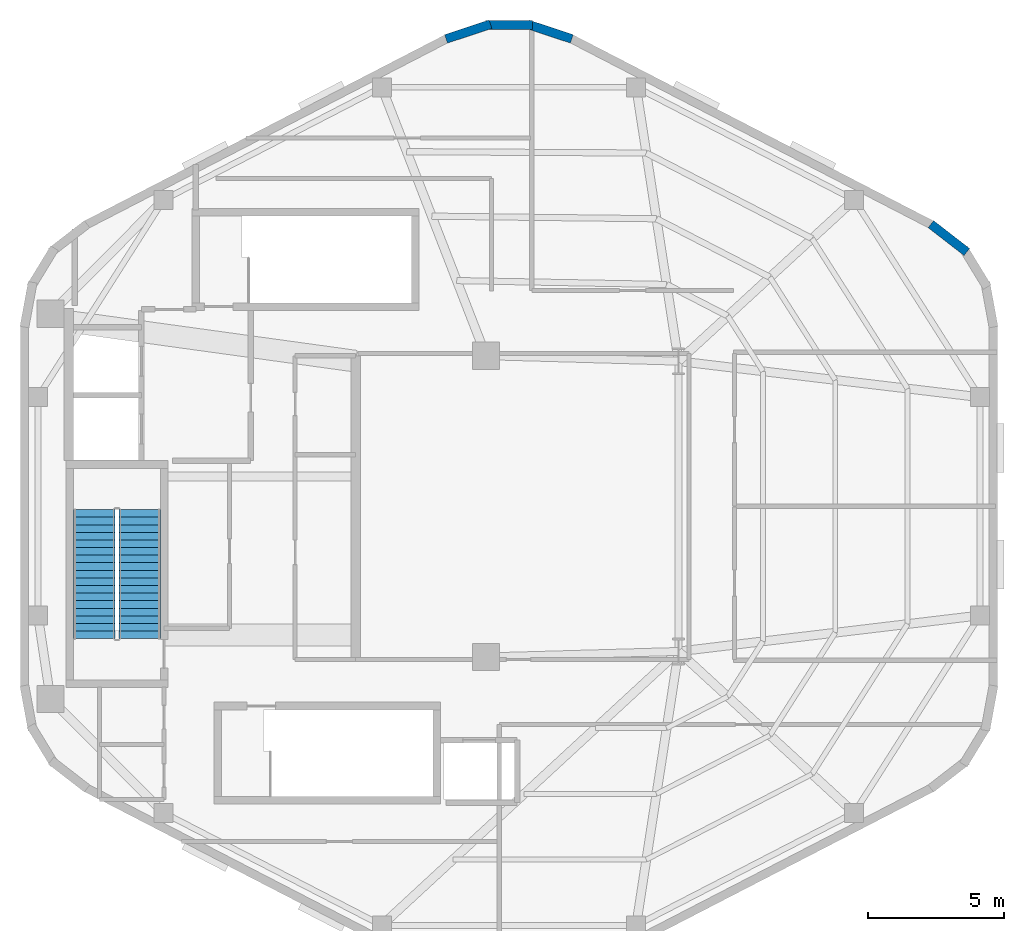
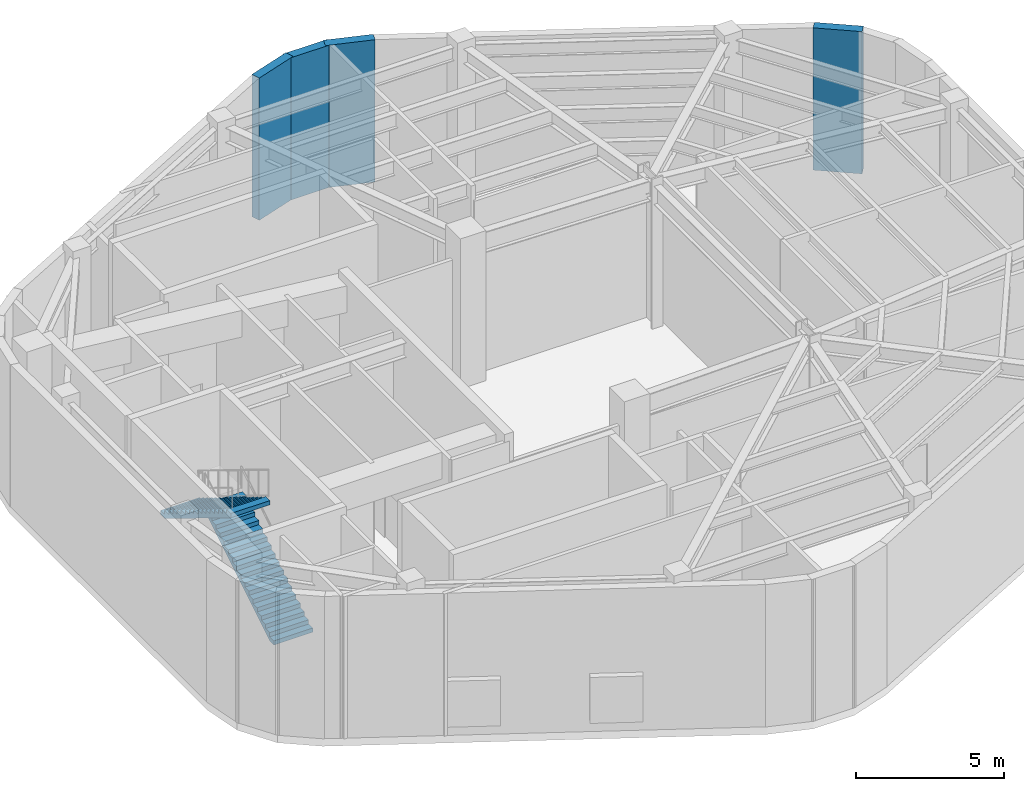
# One storey, part 4 of 5: 4 walls, 2 stair flights, 1 element without a shape of its own.
"""IFC4 building model written with IfcOpenShell, lengths in metres."""

from ifc_helpers import new_model, si_unit, direction, frame, frame_2d, origin, place, context, subcontext, project, spatial, polyline, rectangle, outline, extrude, material, layer, layer_set, type_object, element, aggregate, save


model = new_model("IFC4")

# Units and contexts
model_context = context("Model", 3, precision=1e-05, world=origin(), true_north=direction((0.0, 1.0)))
body_context = subcontext(model_context, "Body", "Model", "MODEL_VIEW")
ifc_project = project(units=[si_unit("LENGTHUNIT", "METRE"), si_unit("AREAUNIT", "SQUARE_METRE"), si_unit("VOLUMEUNIT", "CUBIC_METRE"), si_unit("PLANEANGLEUNIT", "RADIAN"), si_unit("MASSUNIT", "GRAM", prefix="KILO"), si_unit("THERMODYNAMICTEMPERATUREUNIT", "KELVIN"), si_unit("POWERUNIT", "WATT")], contexts=[model_context])

# Site, building, storey
site_placement = place(None, origin())
site = spatial("IfcSite", under=ifc_project, at=site_placement, CompositionType="ELEMENT")
building_placement = place(site_placement, origin())
building = spatial("IfcBuilding", under=site, at=building_placement, Name="Skarre Station Tower", CompositionType="ELEMENT")
storey_placement = place(building_placement, frame((0.0, 0.0, 285.10009765625)))
storey = spatial("IfcBuildingStorey", under=building, at=storey_placement, Name="L77", CompositionType="ELEMENT", Elevation=285.10009765625)

# Walls
ifc_material_1 = material(Name="Precast concrete C45/55", Category="concrete")
ifc_layer = layer(ifc_material_1, 0.330078125, Name="Precast concrete C45/55")
ifc_layer_set = layer_set([ifc_layer], Name="Precast concrete C45/55")
wall_type = type_object("IfcWallType", Name="Nordic Rounded Corner Precast Wall 330", PredefinedType="STANDARD", material=ifc_layer_set)
wall_1_placement = place(storey_placement, frame((48.7529296875, 34.40087890625, 0.0), z_axis=(0.0, 0.0, 1.0), x_axis=(0.790691856293, -0.61221433207, 0.0)))
element("IfcWall", 1, at=wall_1_placement, inside=storey, type_object=wall_type, Name="L77 Rounded Corner Precast Wall F0-1", PredefinedType="STANDARD", context=body_context, shape_type="SweptSolid", body=[
    extrude(rectangle(XDim=1.67578125, YDim=0.330078125, at=frame_2d((0.837890625, 0.0))), origin(), (0.0, 0.0, 1.0), 5.8798828125),
])
wall_2_placement = place(storey_placement, frame((30.882080078125, 41.23095703125, 0.0), z_axis=(0.0, 0.0, 1.0), x_axis=(0.949713440491, 0.313120393699, 0.0)))
element("IfcWall", 2, at=wall_2_placement, inside=storey, type_object=wall_type, Name="L77 Rounded Corner Precast Wall F1-1", PredefinedType="STANDARD", context=body_context, shape_type="SweptSolid", body=[
    extrude(rectangle(XDim=1.7216796875, YDim=0.330078125, at=frame_2d((0.86083984375, 0.0))), origin(), (0.0, 0.0, 1.0), 5.8798828125),
])
wall_3_placement = place(storey_placement, frame((32.339111328125, 41.740966796875, 0.0), z_axis=(0.0, 0.0, 1.0), x_axis=(1.0, 0.0, 0.0)))
element("IfcWall", 3, at=wall_3_placement, inside=storey, type_object=wall_type, Name="L77 Rounded Corner Precast Wall F1-2", PredefinedType="STANDARD", context=body_context, shape_type="SweptSolid", body=[
    extrude(rectangle(XDim=1.721923828125, YDim=0.330078125, at=frame_2d((0.86083984375, 0.0))), origin(), (0.0, 0.0, 1.0), 5.8798828125),
])
wall_4_placement = place(storey_placement, frame((33.883056640625, 41.77001953125, 0.0), z_axis=(0.0, 0.0, 1.0), x_axis=(0.949713440491, -0.313120393699, 0.0)))
element("IfcWall", 4, at=wall_4_placement, inside=storey, type_object=wall_type, Name="L77 Rounded Corner Precast Wall F1-3", PredefinedType="STANDARD", context=body_context, shape_type="SweptSolid", body=[
    extrude(rectangle(XDim=1.7216796875, YDim=0.330078125, at=frame_2d((0.86083984375, 0.0))), origin(), (0.0, 0.0, 1.0), 5.8798828125),
])

# Stair, stair flights
ifc_material_2 = material(Name="Concrete C40/50", Category="concrete")
stair_type = type_object("IfcStairType", Name="Reinforced Concrete Exit Stair ST-1", PredefinedType="HALF_TURN_STAIR", material=ifc_material_2)
stair_placement = place(storey_placement, origin())
stair = element("IfcStair", 5, at=stair_placement, inside=storey, type_object=stair_type, Name="L77 Core Exit Stair ST-1", PredefinedType="HALF_TURN_STAIR")
stair_flight_type = type_object("IfcStairFlightType", Name="Reinforced Concrete Stair Flight ST-1", PredefinedType="STRAIGHT", material=ifc_material_2)
stair_flight_1_placement = place(storey_placement, frame((19.590087890625, 19.1201171875, 0.0), z_axis=(0.0, 0.0, 1.0), x_axis=(0.0, 1.0, 0.0)))
stair_flight_1 = element("IfcStairFlight", 6, at=stair_flight_1_placement, type_object=stair_flight_type, Name="ST-1 flight 1", NumberOfRisers=18, NumberOfTreads=17, PredefinedType="STRAIGHT", RiserHeight=0.172222222, TreadLength=0.28, context=body_context, shape_type="SweptSolid", body=[
    extrude(outline(polyline([(0.0, 0.0), (0.0, 0.172119140625), (0.280029296875, 0.172119140625), (0.280029296875, 0.344482421875), (0.56005859375, 0.344482421875), (0.56005859375, 0.5166015625), (0.840087890625, 0.5166015625), (0.840087890625, 0.68896484375), (1.1201171875, 0.68896484375), (1.1201171875, 0.861083984375), (1.39990234375, 0.861083984375), (1.39990234375, 1.033447265625), (1.679931640625, 1.033447265625), (1.679931640625, 1.20556640625), (1.9599609375, 1.20556640625), (1.9599609375, 1.377685546875), (2.239990234375, 1.377685546875), (2.239990234375, 1.550048828125), (2.52001953125, 1.550048828125), (2.52001953125, 1.72216796875), (2.800048828125, 1.72216796875), (2.800048828125, 1.89453125), (3.080078125, 1.89453125), (3.080078125, 2.066650390625), (3.360107421875, 2.066650390625), (3.360107421875, 2.23876953125), (3.639892578125, 2.23876953125), (3.639892578125, 2.4111328125), (3.919921875, 2.4111328125), (3.919921875, 2.583251953125), (4.199951171875, 2.583251953125), (4.199951171875, 2.755615234375), (4.47998046875, 2.755615234375), (4.47998046875, 2.927734375), (4.760009765625, 2.927734375), (4.760009765625, 3.10009765625), (4.760009765625, 2.751708984375), (0.2861328125, 0.0), (0.0, 0.0)])), frame((0.0, 0.760009765625, 0.0), z_axis=(0.0, -1.0, 0.0), x_axis=(1.0, 0.0, 0.0)), (0.0, 0.0, 1.0), 1.52001953125),
])
stair_flight_2_placement = place(storey_placement, frame((17.909912109375, 23.8798828125, 3.099853515625), z_axis=(0.0, 0.0, 1.0), x_axis=(0.0, -1.0, 0.0)))
stair_flight_2 = element("IfcStairFlight", 7, at=stair_flight_2_placement, type_object=stair_flight_type, Name="ST-1 flight 2", NumberOfRisers=18, NumberOfTreads=17, PredefinedType="STRAIGHT", RiserHeight=0.172222222, TreadLength=0.28, context=body_context, shape_type="SweptSolid", body=[
    extrude(outline(polyline([(0.0, 0.0), (0.0, 0.172119140625), (0.280029296875, 0.172119140625), (0.280029296875, 0.344482421875), (0.56005859375, 0.344482421875), (0.56005859375, 0.5166015625), (0.840087890625, 0.5166015625), (0.840087890625, 0.68896484375), (1.1201171875, 0.68896484375), (1.1201171875, 0.861083984375), (1.39990234375, 0.861083984375), (1.39990234375, 1.033447265625), (1.679931640625, 1.033447265625), (1.679931640625, 1.20556640625), (1.9599609375, 1.20556640625), (1.9599609375, 1.377685546875), (2.239990234375, 1.377685546875), (2.239990234375, 1.550048828125), (2.52001953125, 1.550048828125), (2.52001953125, 1.72216796875), (2.800048828125, 1.72216796875), (2.800048828125, 1.89453125), (3.080078125, 1.89453125), (3.080078125, 2.066650390625), (3.360107421875, 2.066650390625), (3.360107421875, 2.23876953125), (3.639892578125, 2.23876953125), (3.639892578125, 2.4111328125), (3.919921875, 2.4111328125), (3.919921875, 2.583251953125), (4.199951171875, 2.583251953125), (4.199951171875, 2.755615234375), (4.47998046875, 2.755615234375), (4.47998046875, 2.927734375), (4.760009765625, 2.927734375), (4.760009765625, 3.10009765625), (4.760009765625, 2.751708984375), (0.2861328125, 0.0), (0.0, 0.0)])), frame((0.0, 0.760009765625, 0.0), z_axis=(0.0, -1.0, 0.0), x_axis=(1.0, 0.0, 0.0)), (0.0, 0.0, 1.0), 1.52001953125),
])
aggregate(stair, [stair_flight_1, stair_flight_2])

save(model, "model.ifc")
